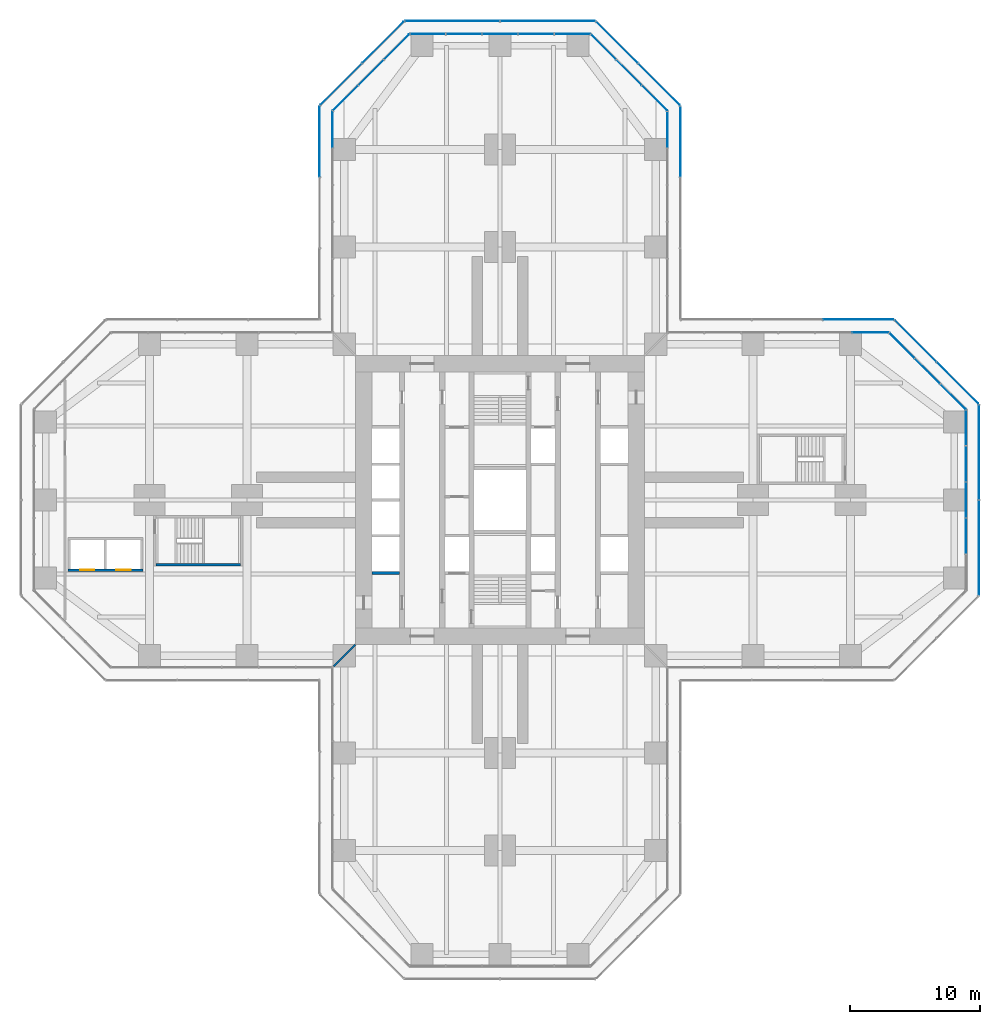
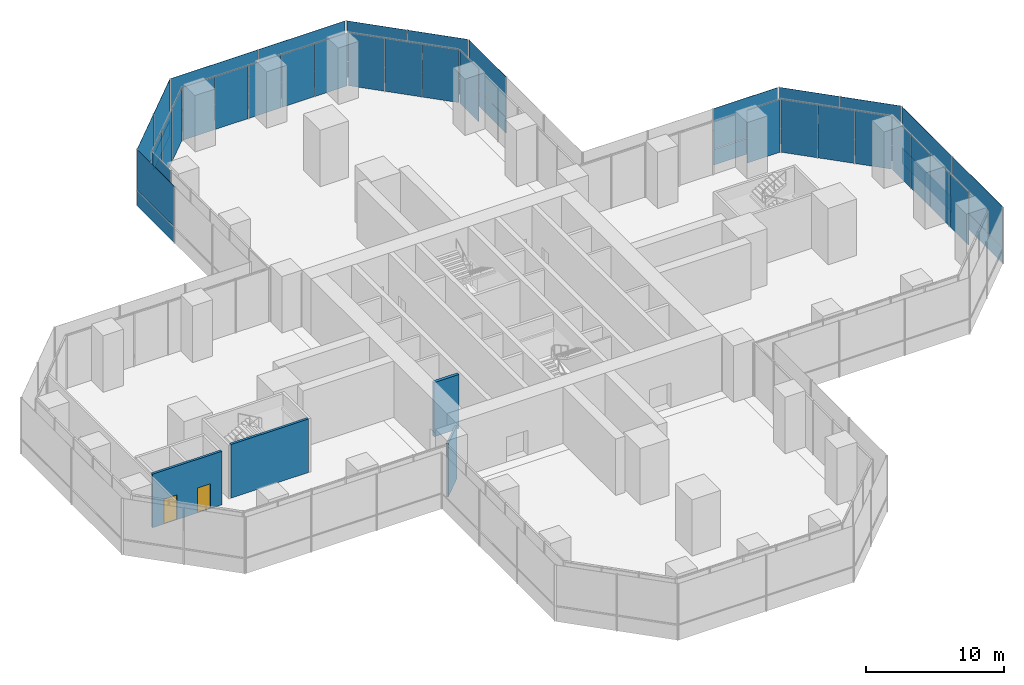
# One storey, part 16 of 23: 47 plates, 4 walls, 2 doors, 2 openings, 16 elements without a shape of their own.
"""IFC4 building model written with IfcOpenShell, lengths in metres."""

from ifc_helpers import new_model, si_unit, direction, frame, frame_2d, origin, origin_2d, place, context, subcontext, project, spatial, rectangle, extrude, material, layer, layer_set, type_object, element, fill, aggregate, save


model = new_model("IFC4")

# Units and contexts
model_context = context("Model", 3, precision=1e-05, world=origin(), true_north=direction((0.0, 1.0)))
body_context = subcontext(model_context, "Body", "Model", "MODEL_VIEW")
ifc_project = project(units=[si_unit("LENGTHUNIT", "METRE"), si_unit("AREAUNIT", "SQUARE_METRE"), si_unit("VOLUMEUNIT", "CUBIC_METRE"), si_unit("PLANEANGLEUNIT", "RADIAN"), si_unit("MASSUNIT", "GRAM", prefix="KILO")], contexts=[model_context])

# Site, building, storey
site_placement = place(None, origin())
site = spatial("IfcSite", under=ifc_project, at=site_placement, CompositionType="ELEMENT")
building_placement = place(site_placement, origin())
building = spatial("IfcBuilding", under=site, at=building_placement, Name="Mizan Broadcast Tower", CompositionType="ELEMENT")
storey_placement = place(building_placement, frame((0.0, 0.0, 23.0)))
storey = spatial("IfcBuildingStorey", under=building, at=storey_placement, Name="L03", CompositionType="ELEMENT", Elevation=23.0)

# Curtain wall, plates
ifc_material_1 = material(Name="Aluminium framed glazing", Category="aluminium")
curtain_wall_type_1 = type_object("IfcCurtainWallType", Name="OUTER SKIN", PredefinedType="USERDEFINED", material=ifc_material_1)
curtain_wall_1_placement = place(storey_placement, origin())
curtain_wall_1 = element("IfcCurtainWall", 1, at=curtain_wall_1_placement, inside=storey, type_object=curtain_wall_type_1, Name="Outer skin L03 E end", ObjectType="OUTER SKIN", PredefinedType="USERDEFINED")
ifc_material_2 = material(Name="Laminated clear glass", Category="glass")
ifc_layer_1 = layer(ifc_material_2, 0.02001953125)
ifc_layer_set_1 = layer_set([ifc_layer_1], Name="Laminated clear glass")
plate_type_1 = type_object("IfcPlateType", Name="OUTER SKIN CLEAR GLASS", PredefinedType="CURTAIN_PANEL", material=ifc_layer_set_1)
plate_1_placement = place(storey_placement, frame((36.89990234375, -3.66650390625, 0.0), z_axis=(0.0, 0.0, 1.0), x_axis=(0.0, 1.0, 0.0)))
plate_1 = element("IfcPlate", 2, at=plate_1_placement, type_object=plate_type_1, Name="Outer skin L03 E end panel 1.1", PredefinedType="CURTAIN_PANEL", context=body_context, shape_type="SweptSolid", body=[
    extrude(rectangle(XDim=7.252685546875, YDim=0.02001953125, at=origin_2d()), origin(), (0.0, 0.0, 1.0), 1.3701171875),
])
plate_2_placement = place(storey_placement, frame((36.89990234375, -3.66650390625, 1.43017578125), z_axis=(0.0, 0.0, 1.0), x_axis=(0.0, 1.0, 0.0)))
plate_2 = element("IfcPlate", 3, at=plate_2_placement, type_object=plate_type_1, Name="Outer skin L03 E end panel 1.2", PredefinedType="CURTAIN_PANEL", context=body_context, shape_type="SweptSolid", body=[
    extrude(rectangle(XDim=7.252685546875, YDim=0.02001953125, at=origin_2d()), origin(), (0.0, 0.0, 1.0), 3.570068359375),
])

curtain_wall_2_placement = place(storey_placement, origin())
curtain_wall_2 = element("IfcCurtainWall", 4, at=curtain_wall_2_placement, inside=storey, type_object=curtain_wall_type_1, Name="Outer skin L03 E chamfer", ObjectType="OUTER SKIN", PredefinedType="USERDEFINED")
plate_3_placement = place(storey_placement, frame((35.254150390625, 9.018798828125, 0.0), z_axis=(0.0, 0.0, 1.0), x_axis=(-0.707106781187, 0.707106781187, 0.0)))
plate_3 = element("IfcPlate", 5, at=plate_3_placement, type_object=plate_type_1, Name="Outer skin L03 E chamfer panel 1.1", PredefinedType="CURTAIN_PANEL", context=body_context, shape_type="SweptSolid", body=[
    extrude(rectangle(XDim=4.495361328125, YDim=0.02001953125, at=origin_2d()), origin(), (0.0, 0.0, 1.0), 1.3701171875),
])
plate_4_placement = place(storey_placement, frame((35.254150390625, 9.018798828125, 1.43017578125), z_axis=(0.0, 0.0, 1.0), x_axis=(-0.707106781187, 0.707106781187, 0.0)))
plate_4 = element("IfcPlate", 6, at=plate_4_placement, type_object=plate_type_1, Name="Outer skin L03 E chamfer panel 1.2", PredefinedType="CURTAIN_PANEL", context=body_context, shape_type="SweptSolid", body=[
    extrude(rectangle(XDim=4.495361328125, YDim=0.02001953125, at=origin_2d()), origin(), (0.0, 0.0, 1.0), 3.570068359375),
])

curtain_wall_3_placement = place(storey_placement, origin())
curtain_wall_3 = element("IfcCurtainWall", 7, at=curtain_wall_3_placement, inside=storey, type_object=curtain_wall_type_1, Name="Outer skin L03 E side", ObjectType="OUTER SKIN", PredefinedType="USERDEFINED")
plate_5_placement = place(storey_placement, frame((27.607421875, 13.89990234375, 0.0), z_axis=(0.0, 0.0, 1.0), x_axis=(-1.0, 0.0, 0.0)))
plate_5 = element("IfcPlate", 8, at=plate_5_placement, type_object=plate_type_1, Name="Outer skin L03 E side panel 1.1", PredefinedType="CURTAIN_PANEL", context=body_context, shape_type="SweptSolid", body=[
    extrude(rectangle(XDim=5.370849609375, YDim=0.02001953125, at=origin_2d()), origin(), (0.0, 0.0, 1.0), 1.3701171875),
])
plate_6_placement = place(storey_placement, frame((27.607421875, 13.89990234375, 1.43017578125), z_axis=(0.0, 0.0, 1.0), x_axis=(-1.0, 0.0, 0.0)))
plate_6 = element("IfcPlate", 9, at=plate_6_placement, type_object=plate_type_1, Name="Outer skin L03 E side panel 1.2", PredefinedType="CURTAIN_PANEL", context=body_context, shape_type="SweptSolid", body=[
    extrude(rectangle(XDim=5.370849609375, YDim=0.02001953125, at=origin_2d()), origin(), (0.0, 0.0, 1.0), 3.570068359375),
])
aggregate(curtain_wall_3, [plate_5, plate_6])

curtain_wall_4_placement = place(storey_placement, origin())
curtain_wall_4 = element("IfcCurtainWall", 10, at=curtain_wall_4_placement, inside=storey, type_object=curtain_wall_type_1, Name="Outer skin L03 N side", ObjectType="OUTER SKIN", PredefinedType="USERDEFINED")
plate_7_placement = place(storey_placement, frame((13.89990234375, 27.607421875, 0.0), z_axis=(0.0, 0.0, 1.0), x_axis=(0.0, 1.0, 0.0)))
plate_7 = element("IfcPlate", 11, at=plate_7_placement, type_object=plate_type_1, Name="Outer skin L03 N side panel 3.1", PredefinedType="CURTAIN_PANEL", context=body_context, shape_type="SweptSolid", body=[
    extrude(rectangle(XDim=5.370849609375, YDim=0.02001953125, at=origin_2d()), origin(), (0.0, 0.0, 1.0), 1.3701171875),
])
plate_8_placement = place(storey_placement, frame((13.89990234375, 27.607421875, 1.43017578125), z_axis=(0.0, 0.0, 1.0), x_axis=(0.0, 1.0, 0.0)))
plate_8 = element("IfcPlate", 12, at=plate_8_placement, type_object=plate_type_1, Name="Outer skin L03 N side panel 3.2", PredefinedType="CURTAIN_PANEL", context=body_context, shape_type="SweptSolid", body=[
    extrude(rectangle(XDim=5.370849609375, YDim=0.02001953125, at=origin_2d()), origin(), (0.0, 0.0, 1.0), 3.570068359375),
])
aggregate(curtain_wall_4, [plate_7, plate_8])

curtain_wall_5_placement = place(storey_placement, origin())
curtain_wall_5 = element("IfcCurtainWall", 13, at=curtain_wall_5_placement, inside=storey, type_object=curtain_wall_type_1, Name="Outer skin L03 N chamfer", ObjectType="OUTER SKIN", PredefinedType="USERDEFINED")
plate_9_placement = place(storey_placement, frame((12.254150390625, 32.018798828125, 0.0), z_axis=(0.0, 0.0, 1.0), x_axis=(-0.707106781187, 0.707106781187, 0.0)))
plate_9 = element("IfcPlate", 14, at=plate_9_placement, type_object=plate_type_1, Name="Outer skin L03 N chamfer panel 1.1", PredefinedType="CURTAIN_PANEL", context=body_context, shape_type="SweptSolid", body=[
    extrude(rectangle(XDim=4.495361328125, YDim=0.02001953125, at=origin_2d()), origin(), (0.0, 0.0, 1.0), 1.3701171875),
])
plate_10_placement = place(storey_placement, frame((12.254150390625, 32.018798828125, 1.43017578125), z_axis=(0.0, 0.0, 1.0), x_axis=(-0.707106781187, 0.707106781187, 0.0)))
plate_10 = element("IfcPlate", 15, at=plate_10_placement, type_object=plate_type_1, Name="Outer skin L03 N chamfer panel 1.2", PredefinedType="CURTAIN_PANEL", context=body_context, shape_type="SweptSolid", body=[
    extrude(rectangle(XDim=4.495361328125, YDim=0.02001953125, at=origin_2d()), origin(), (0.0, 0.0, 1.0), 3.570068359375),
])

curtain_wall_6_placement = place(storey_placement, origin())
curtain_wall_6 = element("IfcCurtainWall", 16, at=curtain_wall_6_placement, inside=storey, type_object=curtain_wall_type_1, Name="Outer skin L03 N end", ObjectType="OUTER SKIN", PredefinedType="USERDEFINED")
plate_11_placement = place(storey_placement, frame((3.66650390625, 36.89990234375, 0.0), z_axis=(0.0, 0.0, 1.0), x_axis=(-1.0, 0.0, 0.0)))
plate_11 = element("IfcPlate", 17, at=plate_11_placement, type_object=plate_type_1, Name="Outer skin L03 N end panel 1.1", PredefinedType="CURTAIN_PANEL", context=body_context, shape_type="SweptSolid", body=[
    extrude(rectangle(XDim=7.252685546875, YDim=0.02001953125, at=origin_2d()), origin(), (0.0, 0.0, 1.0), 1.3701171875),
])
plate_12_placement = place(storey_placement, frame((3.66650390625, 36.89990234375, 1.43017578125), z_axis=(0.0, 0.0, 1.0), x_axis=(-1.0, 0.0, 0.0)))
plate_12 = element("IfcPlate", 18, at=plate_12_placement, type_object=plate_type_1, Name="Outer skin L03 N end panel 1.2", PredefinedType="CURTAIN_PANEL", context=body_context, shape_type="SweptSolid", body=[
    extrude(rectangle(XDim=7.252685546875, YDim=0.02001953125, at=origin_2d()), origin(), (0.0, 0.0, 1.0), 3.570068359375),
])
plate_13_placement = place(storey_placement, frame((-3.66650390625, 36.89990234375, 0.0), z_axis=(0.0, 0.0, 1.0), x_axis=(-1.0, 0.0, 0.0)))
plate_13 = element("IfcPlate", 19, at=plate_13_placement, type_object=plate_type_1, Name="Outer skin L03 N end panel 2.1", PredefinedType="CURTAIN_PANEL", context=body_context, shape_type="SweptSolid", body=[
    extrude(rectangle(XDim=7.252685546875, YDim=0.02001953125, at=origin_2d()), origin(), (0.0, 0.0, 1.0), 1.3701171875),
])
plate_14_placement = place(storey_placement, frame((-3.66650390625, 36.89990234375, 1.43017578125), z_axis=(0.0, 0.0, 1.0), x_axis=(-1.0, 0.0, 0.0)))
plate_14 = element("IfcPlate", 20, at=plate_14_placement, type_object=plate_type_1, Name="Outer skin L03 N end panel 2.2", PredefinedType="CURTAIN_PANEL", context=body_context, shape_type="SweptSolid", body=[
    extrude(rectangle(XDim=7.252685546875, YDim=0.02001953125, at=origin_2d()), origin(), (0.0, 0.0, 1.0), 3.570068359375),
])
aggregate(curtain_wall_6, [plate_11, plate_12, plate_13, plate_14])

curtain_wall_7_placement = place(storey_placement, origin())
curtain_wall_7 = element("IfcCurtainWall", 21, at=curtain_wall_7_placement, inside=storey, type_object=curtain_wall_type_1, Name="Outer skin L03 N chamfer", ObjectType="OUTER SKIN", PredefinedType="USERDEFINED")
plate_15_placement = place(storey_placement, frame((-9.018798828125, 35.254150390625, 0.0), z_axis=(0.0, 0.0, 1.0), x_axis=(-0.707106781187, -0.707106781187, 0.0)))
plate_15 = element("IfcPlate", 22, at=plate_15_placement, type_object=plate_type_1, Name="Outer skin L03 N chamfer panel 1.1", PredefinedType="CURTAIN_PANEL", context=body_context, shape_type="SweptSolid", body=[
    extrude(rectangle(XDim=4.495361328125, YDim=0.02001953125, at=origin_2d()), origin(), (0.0, 0.0, 1.0), 1.3701171875),
])
plate_16_placement = place(storey_placement, frame((-9.018798828125, 35.254150390625, 1.43017578125), z_axis=(0.0, 0.0, 1.0), x_axis=(-0.707106781187, -0.707106781187, 0.0)))
plate_16 = element("IfcPlate", 23, at=plate_16_placement, type_object=plate_type_1, Name="Outer skin L03 N chamfer panel 1.2", PredefinedType="CURTAIN_PANEL", context=body_context, shape_type="SweptSolid", body=[
    extrude(rectangle(XDim=4.495361328125, YDim=0.02001953125, at=origin_2d()), origin(), (0.0, 0.0, 1.0), 3.570068359375),
])

curtain_wall_8_placement = place(storey_placement, origin())
curtain_wall_8 = element("IfcCurtainWall", 24, at=curtain_wall_8_placement, inside=storey, type_object=curtain_wall_type_1, Name="Outer skin L03 N side", ObjectType="OUTER SKIN", PredefinedType="USERDEFINED")
plate_17_placement = place(storey_placement, frame((-13.89990234375, 27.607421875, 0.0), z_axis=(0.0, 0.0, 1.0), x_axis=(0.0, -1.0, 0.0)))
plate_17 = element("IfcPlate", 25, at=plate_17_placement, type_object=plate_type_1, Name="Outer skin L03 N side panel 1.1", PredefinedType="CURTAIN_PANEL", context=body_context, shape_type="SweptSolid", body=[
    extrude(rectangle(XDim=5.370849609375, YDim=0.02001953125, at=origin_2d()), origin(), (0.0, 0.0, 1.0), 1.3701171875),
])
plate_18_placement = place(storey_placement, frame((-13.89990234375, 27.607421875, 1.43017578125), z_axis=(0.0, 0.0, 1.0), x_axis=(0.0, -1.0, 0.0)))
plate_18 = element("IfcPlate", 26, at=plate_18_placement, type_object=plate_type_1, Name="Outer skin L03 N side panel 1.2", PredefinedType="CURTAIN_PANEL", context=body_context, shape_type="SweptSolid", body=[
    extrude(rectangle(XDim=5.370849609375, YDim=0.02001953125, at=origin_2d()), origin(), (0.0, 0.0, 1.0), 3.570068359375),
])
aggregate(curtain_wall_8, [plate_17, plate_18])

# Plate
ifc_material_3 = material(Name="Perforated aluminium, pale anodised", Category="aluminium")
ifc_layer_2 = layer(ifc_material_3, 0.011962890625)
ifc_layer_set_2 = layer_set([ifc_layer_2], Name="Perforated aluminium, pale anodised")
plate_type_2 = type_object("IfcPlateType", Name="OUTER SKIN PERFORATED SCREEN", PredefinedType="USERDEFINED", material=ifc_layer_set_2)
plate_19_placement = place(storey_placement, frame((36.89990234375, 3.66650390625, 0.0), z_axis=(0.0, 0.0, 1.0), x_axis=(0.0, 1.0, 0.0)))
plate_19 = element("IfcPlate", 27, at=plate_19_placement, type_object=plate_type_2, Name="Outer skin L03 E end panel 2.1", ObjectType="SCREEN", PredefinedType="USERDEFINED", context=body_context, shape_type="SweptSolid", body=[
    extrude(rectangle(XDim=7.252685546875, YDim=0.011962890625, at=origin_2d()), origin(), (0.0, 0.0, 1.0), 1.3701171875),
])

plate_20_placement = place(storey_placement, frame((36.89990234375, 3.66650390625, 1.43017578125), z_axis=(0.0, 0.0, 1.0), x_axis=(0.0, 1.0, 0.0)))
plate_20 = element("IfcPlate", 28, at=plate_20_placement, type_object=plate_type_2, Name="Outer skin L03 E end panel 2.2", ObjectType="SCREEN", PredefinedType="USERDEFINED", context=body_context, shape_type="SweptSolid", body=[
    extrude(rectangle(XDim=7.252685546875, YDim=0.011962890625, at=origin_2d()), origin(), (0.0, 0.0, 1.0), 3.570068359375),
])

aggregate(curtain_wall_1, [plate_1, plate_2, plate_19, plate_20])

plate_21_placement = place(storey_placement, frame((32.018798828125, 12.254150390625, 0.0), z_axis=(0.0, 0.0, 1.0), x_axis=(-0.707106781187, 0.707106781187, 0.0)))
plate_21 = element("IfcPlate", 29, at=plate_21_placement, type_object=plate_type_2, Name="Outer skin L03 E chamfer panel 2.1", ObjectType="SCREEN", PredefinedType="USERDEFINED", context=body_context, shape_type="SweptSolid", body=[
    extrude(rectangle(XDim=4.495361328125, YDim=0.011962890625, at=origin_2d()), origin(), (0.0, 0.0, 1.0), 1.3701171875),
])

plate_22_placement = place(storey_placement, frame((32.018798828125, 12.254150390625, 1.43017578125), z_axis=(0.0, 0.0, 1.0), x_axis=(-0.707106781187, 0.707106781187, 0.0)))
plate_22 = element("IfcPlate", 30, at=plate_22_placement, type_object=plate_type_2, Name="Outer skin L03 E chamfer panel 2.2", ObjectType="SCREEN", PredefinedType="USERDEFINED", context=body_context, shape_type="SweptSolid", body=[
    extrude(rectangle(XDim=4.495361328125, YDim=0.011962890625, at=origin_2d()), origin(), (0.0, 0.0, 1.0), 3.570068359375),
])

aggregate(curtain_wall_2, [plate_3, plate_4, plate_21, plate_22])

plate_23_placement = place(storey_placement, frame((9.018798828125, 35.254150390625, 0.0), z_axis=(0.0, 0.0, 1.0), x_axis=(-0.707106781187, 0.707106781187, 0.0)))
plate_23 = element("IfcPlate", 31, at=plate_23_placement, type_object=plate_type_2, Name="Outer skin L03 N chamfer panel 2.1", ObjectType="SCREEN", PredefinedType="USERDEFINED", context=body_context, shape_type="SweptSolid", body=[
    extrude(rectangle(XDim=4.495361328125, YDim=0.011962890625, at=origin_2d()), origin(), (0.0, 0.0, 1.0), 1.3701171875),
])

plate_24_placement = place(storey_placement, frame((9.018798828125, 35.254150390625, 1.43017578125), z_axis=(0.0, 0.0, 1.0), x_axis=(-0.707106781187, 0.707106781187, 0.0)))
plate_24 = element("IfcPlate", 32, at=plate_24_placement, type_object=plate_type_2, Name="Outer skin L03 N chamfer panel 2.2", ObjectType="SCREEN", PredefinedType="USERDEFINED", context=body_context, shape_type="SweptSolid", body=[
    extrude(rectangle(XDim=4.495361328125, YDim=0.011962890625, at=origin_2d()), origin(), (0.0, 0.0, 1.0), 3.570068359375),
])

aggregate(curtain_wall_5, [plate_9, plate_10, plate_23, plate_24])

plate_25_placement = place(storey_placement, frame((-12.254150390625, 32.018798828125, 0.0), z_axis=(0.0, 0.0, 1.0), x_axis=(-0.707106781187, -0.707106781187, 0.0)))
plate_25 = element("IfcPlate", 33, at=plate_25_placement, type_object=plate_type_2, Name="Outer skin L03 N chamfer panel 2.1", ObjectType="SCREEN", PredefinedType="USERDEFINED", context=body_context, shape_type="SweptSolid", body=[
    extrude(rectangle(XDim=4.495361328125, YDim=0.011962890625, at=origin_2d()), origin(), (0.0, 0.0, 1.0), 1.3701171875),
])

plate_26_placement = place(storey_placement, frame((-12.254150390625, 32.018798828125, 1.43017578125), z_axis=(0.0, 0.0, 1.0), x_axis=(-0.707106781187, -0.707106781187, 0.0)))
plate_26 = element("IfcPlate", 34, at=plate_26_placement, type_object=plate_type_2, Name="Outer skin L03 N chamfer panel 2.2", ObjectType="SCREEN", PredefinedType="USERDEFINED", context=body_context, shape_type="SweptSolid", body=[
    extrude(rectangle(XDim=4.495361328125, YDim=0.011962890625, at=origin_2d()), origin(), (0.0, 0.0, 1.0), 3.570068359375),
])

aggregate(curtain_wall_7, [plate_15, plate_16, plate_25, plate_26])

# Curtain wall, plates
ifc_material_4 = material(Name="Aluminium framed glazing", Category="aluminium")
curtain_wall_type_2 = type_object("IfcCurtainWallType", Name="PODIUM CURTAIN WALL", PredefinedType="USERDEFINED", material=ifc_material_4)
curtain_wall_9_placement = place(storey_placement, origin())
curtain_wall_9 = element("IfcCurtainWall", 35, at=curtain_wall_9_placement, inside=storey, type_object=curtain_wall_type_2, Name="Podium curtain wall L03 E end", ObjectType="PODIUM CURTAIN WALL", PredefinedType="USERDEFINED")
ifc_material_5 = material(Name="Double glazing, clear laminated", Category="glass")
ifc_layer_3 = layer(ifc_material_5, 0.031982421875)
ifc_layer_set_3 = layer_set([ifc_layer_3], Name="Double glazing, clear laminated")
plate_type_3 = type_object("IfcPlateType", Name="PODIUM GLAZING UNIT", PredefinedType="CURTAIN_PANEL", material=ifc_layer_set_3)
plate_27_placement = place(storey_placement, frame((35.89990234375, -2.783447265625, 0.0), z_axis=(0.0, 0.0, 1.0), x_axis=(0.0, 1.0, 0.0)))
plate_27 = element("IfcPlate", 36, at=plate_27_placement, type_object=plate_type_3, Name="Podium curtain wall L03 E end panel 2.1", PredefinedType="CURTAIN_PANEL", context=body_context, shape_type="SweptSolid", body=[
    extrude(rectangle(XDim=2.723388671875, YDim=0.031982421875, at=origin_2d()), origin(), (0.0, 0.0, 1.0), 4.68994140625),
])
plate_28_placement = place(storey_placement, frame((35.89990234375, 0.0, 0.0), z_axis=(0.0, 0.0, 1.0), x_axis=(0.0, 1.0, 0.0)))
plate_28 = element("IfcPlate", 37, at=plate_28_placement, type_object=plate_type_3, Name="Podium curtain wall L03 E end panel 3.1", PredefinedType="CURTAIN_PANEL", context=body_context, shape_type="SweptSolid", body=[
    extrude(rectangle(XDim=2.723388671875, YDim=0.031982421875, at=origin_2d()), origin(), (0.0, 0.0, 1.0), 4.68994140625),
])
plate_29_placement = place(storey_placement, frame((35.89990234375, 2.783447265625, 0.0), z_axis=(0.0, 0.0, 1.0), x_axis=(0.0, 1.0, 0.0)))
plate_29 = element("IfcPlate", 38, at=plate_29_placement, type_object=plate_type_3, Name="Podium curtain wall L03 E end panel 4.1", PredefinedType="CURTAIN_PANEL", context=body_context, shape_type="SweptSolid", body=[
    extrude(rectangle(XDim=2.723388671875, YDim=0.031982421875, at=origin_2d()), origin(), (0.0, 0.0, 1.0), 4.68994140625),
])
plate_30_placement = place(storey_placement, frame((35.89990234375, 5.5517578125, 0.0), z_axis=(0.0, 0.0, 1.0), x_axis=(0.0, 1.0, 0.0)))
plate_30 = element("IfcPlate", 39, at=plate_30_placement, type_object=plate_type_3, Name="Podium curtain wall L03 E end panel 5.1", PredefinedType="CURTAIN_PANEL", context=body_context, shape_type="SweptSolid", body=[
    extrude(rectangle(XDim=2.693359375, YDim=0.031982421875, at=origin_2d()), origin(), (0.0, 0.0, 1.0), 4.68994140625),
])
aggregate(curtain_wall_9, [plate_27, plate_28, plate_29, plate_30])

curtain_wall_10_placement = place(storey_placement, origin())
curtain_wall_10 = element("IfcCurtainWall", 40, at=curtain_wall_10_placement, inside=storey, type_object=curtain_wall_type_2, Name="Podium curtain wall L03 E chamfer", ObjectType="PODIUM CURTAIN WALL", PredefinedType="USERDEFINED")
plate_31_placement = place(storey_placement, frame((34.899169921875, 7.95947265625, 0.0), z_axis=(0.0, 0.0, 1.0), x_axis=(-0.707106781187, 0.707106781187, 0.0)))
plate_31 = element("IfcPlate", 41, at=plate_31_placement, type_object=plate_type_3, Name="Podium curtain wall L03 E chamfer panel 1.1", PredefinedType="CURTAIN_PANEL", context=body_context, shape_type="SweptSolid", body=[
    extrude(rectangle(XDim=2.710693359375, YDim=0.031982421875, at=origin_2d()), origin(), (0.0, 0.0, 1.0), 4.68994140625),
])
plate_32_placement = place(storey_placement, frame((32.92919921875, 9.92919921875, 0.0), z_axis=(0.0, 0.0, 1.0), x_axis=(-0.707106781187, 0.707106781187, 0.0)))
plate_32 = element("IfcPlate", 42, at=plate_32_placement, type_object=plate_type_3, Name="Podium curtain wall L03 E chamfer panel 2.1", PredefinedType="CURTAIN_PANEL", context=body_context, shape_type="SweptSolid", body=[
    extrude(rectangle(XDim=2.74072265625, YDim=0.031982421875, at=origin_2d()), origin(), (0.0, 0.0, 1.0), 4.68994140625),
])
plate_33_placement = place(storey_placement, frame((30.95947265625, 11.899169921875, 0.0), z_axis=(0.0, 0.0, 1.0), x_axis=(-0.707106781187, 0.707106781187, 0.0)))
plate_33 = element("IfcPlate", 43, at=plate_33_placement, type_object=plate_type_3, Name="Podium curtain wall L03 E chamfer panel 3.1", PredefinedType="CURTAIN_PANEL", context=body_context, shape_type="SweptSolid", body=[
    extrude(rectangle(XDim=2.710693359375, YDim=0.031982421875, at=origin_2d()), origin(), (0.0, 0.0, 1.0), 4.68994140625),
])
aggregate(curtain_wall_10, [plate_31, plate_32, plate_33])

# Curtain wall, plate
curtain_wall_11_placement = place(storey_placement, origin())
curtain_wall_11 = element("IfcCurtainWall", 44, at=curtain_wall_11_placement, inside=storey, type_object=curtain_wall_type_2, Name="Podium curtain wall L03 E side", ObjectType="PODIUM CURTAIN WALL", PredefinedType="USERDEFINED")
plate_34_placement = place(storey_placement, frame((28.52197265625, 12.89990234375, 0.0), z_axis=(0.0, 0.0, 1.0), x_axis=(-1.0, 0.0, 0.0)))
plate_34 = element("IfcPlate", 45, at=plate_34_placement, type_object=plate_type_3, Name="Podium curtain wall L03 E side panel 1.1", PredefinedType="CURTAIN_PANEL", context=body_context, shape_type="SweptSolid", body=[
    extrude(rectangle(XDim=2.753173828125, YDim=0.031982421875, at=origin_2d()), origin(), (0.0, 0.0, 1.0), 4.68994140625),
])
aggregate(curtain_wall_11, [plate_34])

curtain_wall_12_placement = place(storey_placement, origin())
curtain_wall_12 = element("IfcCurtainWall", 46, at=curtain_wall_12_placement, inside=storey, type_object=curtain_wall_type_2, Name="Podium curtain wall L03 N side", ObjectType="PODIUM CURTAIN WALL", PredefinedType="USERDEFINED")
plate_35_placement = place(storey_placement, frame((12.89990234375, 28.52197265625, 0.0), z_axis=(0.0, 0.0, 1.0), x_axis=(0.0, 1.0, 0.0)))
plate_35 = element("IfcPlate", 47, at=plate_35_placement, type_object=plate_type_3, Name="Podium curtain wall L03 N side panel 6.1", PredefinedType="CURTAIN_PANEL", context=body_context, shape_type="SweptSolid", body=[
    extrude(rectangle(XDim=2.753173828125, YDim=0.031982421875, at=origin_2d()), origin(), (0.0, 0.0, 1.0), 4.68994140625),
])
aggregate(curtain_wall_12, [plate_35])

# Curtain wall, plates
curtain_wall_13_placement = place(storey_placement, origin())
curtain_wall_13 = element("IfcCurtainWall", 48, at=curtain_wall_13_placement, inside=storey, type_object=curtain_wall_type_2, Name="Podium curtain wall L03 N chamfer", ObjectType="PODIUM CURTAIN WALL", PredefinedType="USERDEFINED")
plate_36_placement = place(storey_placement, frame((11.899169921875, 30.95947265625, 0.0), z_axis=(0.0, 0.0, 1.0), x_axis=(-0.707106781187, 0.707106781187, 0.0)))
plate_36 = element("IfcPlate", 49, at=plate_36_placement, type_object=plate_type_3, Name="Podium curtain wall L03 N chamfer panel 1.1", PredefinedType="CURTAIN_PANEL", context=body_context, shape_type="SweptSolid", body=[
    extrude(rectangle(XDim=2.710693359375, YDim=0.031982421875, at=origin_2d()), origin(), (0.0, 0.0, 1.0), 4.68994140625),
])
plate_37_placement = place(storey_placement, frame((9.92919921875, 32.92919921875, 0.0), z_axis=(0.0, 0.0, 1.0), x_axis=(-0.707106781187, 0.707106781187, 0.0)))
plate_37 = element("IfcPlate", 50, at=plate_37_placement, type_object=plate_type_3, Name="Podium curtain wall L03 N chamfer panel 2.1", PredefinedType="CURTAIN_PANEL", context=body_context, shape_type="SweptSolid", body=[
    extrude(rectangle(XDim=2.74072265625, YDim=0.031982421875, at=origin_2d()), origin(), (0.0, 0.0, 1.0), 4.68994140625),
])
plate_38_placement = place(storey_placement, frame((7.95947265625, 34.899169921875, 0.0), z_axis=(0.0, 0.0, 1.0), x_axis=(-0.707106781187, 0.707106781187, 0.0)))
plate_38 = element("IfcPlate", 51, at=plate_38_placement, type_object=plate_type_3, Name="Podium curtain wall L03 N chamfer panel 3.1", PredefinedType="CURTAIN_PANEL", context=body_context, shape_type="SweptSolid", body=[
    extrude(rectangle(XDim=2.710693359375, YDim=0.031982421875, at=origin_2d()), origin(), (0.0, 0.0, 1.0), 4.68994140625),
])
aggregate(curtain_wall_13, [plate_36, plate_37, plate_38])

curtain_wall_14_placement = place(storey_placement, origin())
curtain_wall_14 = element("IfcCurtainWall", 52, at=curtain_wall_14_placement, inside=storey, type_object=curtain_wall_type_2, Name="Podium curtain wall L03 N end", ObjectType="PODIUM CURTAIN WALL", PredefinedType="USERDEFINED")
plate_39_placement = place(storey_placement, frame((5.5517578125, 35.89990234375, 0.0), z_axis=(0.0, 0.0, 1.0), x_axis=(-1.0, 0.0, 0.0)))
plate_39 = element("IfcPlate", 53, at=plate_39_placement, type_object=plate_type_3, Name="Podium curtain wall L03 N end panel 1.1", PredefinedType="CURTAIN_PANEL", context=body_context, shape_type="SweptSolid", body=[
    extrude(rectangle(XDim=2.693359375, YDim=0.031982421875, at=origin_2d()), origin(), (0.0, 0.0, 1.0), 4.68994140625),
])
plate_40_placement = place(storey_placement, frame((2.783447265625, 35.89990234375, 0.0), z_axis=(0.0, 0.0, 1.0), x_axis=(-1.0, 0.0, 0.0)))
plate_40 = element("IfcPlate", 54, at=plate_40_placement, type_object=plate_type_3, Name="Podium curtain wall L03 N end panel 2.1", PredefinedType="CURTAIN_PANEL", context=body_context, shape_type="SweptSolid", body=[
    extrude(rectangle(XDim=2.723388671875, YDim=0.031982421875, at=origin_2d()), origin(), (0.0, 0.0, 1.0), 4.68994140625),
])
plate_41_placement = place(storey_placement, frame((0.0, 35.89990234375, 0.0), z_axis=(0.0, 0.0, 1.0), x_axis=(-1.0, 0.0, 0.0)))
plate_41 = element("IfcPlate", 55, at=plate_41_placement, type_object=plate_type_3, Name="Podium curtain wall L03 N end panel 3.1", PredefinedType="CURTAIN_PANEL", context=body_context, shape_type="SweptSolid", body=[
    extrude(rectangle(XDim=2.723388671875, YDim=0.031982421875, at=origin_2d()), origin(), (0.0, 0.0, 1.0), 4.68994140625),
])
plate_42_placement = place(storey_placement, frame((-2.783447265625, 35.89990234375, 0.0), z_axis=(0.0, 0.0, 1.0), x_axis=(-1.0, 0.0, 0.0)))
plate_42 = element("IfcPlate", 56, at=plate_42_placement, type_object=plate_type_3, Name="Podium curtain wall L03 N end panel 4.1", PredefinedType="CURTAIN_PANEL", context=body_context, shape_type="SweptSolid", body=[
    extrude(rectangle(XDim=2.723388671875, YDim=0.031982421875, at=origin_2d()), origin(), (0.0, 0.0, 1.0), 4.68994140625),
])
plate_43_placement = place(storey_placement, frame((-5.5517578125, 35.89990234375, 0.0), z_axis=(0.0, 0.0, 1.0), x_axis=(-1.0, 0.0, 0.0)))
plate_43 = element("IfcPlate", 57, at=plate_43_placement, type_object=plate_type_3, Name="Podium curtain wall L03 N end panel 5.1", PredefinedType="CURTAIN_PANEL", context=body_context, shape_type="SweptSolid", body=[
    extrude(rectangle(XDim=2.693359375, YDim=0.031982421875, at=origin_2d()), origin(), (0.0, 0.0, 1.0), 4.68994140625),
])
aggregate(curtain_wall_14, [plate_39, plate_40, plate_41, plate_42, plate_43])

curtain_wall_15_placement = place(storey_placement, origin())
curtain_wall_15 = element("IfcCurtainWall", 58, at=curtain_wall_15_placement, inside=storey, type_object=curtain_wall_type_2, Name="Podium curtain wall L03 N chamfer", ObjectType="PODIUM CURTAIN WALL", PredefinedType="USERDEFINED")
plate_44_placement = place(storey_placement, frame((-7.95947265625, 34.899169921875, 0.0), z_axis=(0.0, 0.0, 1.0), x_axis=(-0.707106781187, -0.707106781187, 0.0)))
plate_44 = element("IfcPlate", 59, at=plate_44_placement, type_object=plate_type_3, Name="Podium curtain wall L03 N chamfer panel 1.1", PredefinedType="CURTAIN_PANEL", context=body_context, shape_type="SweptSolid", body=[
    extrude(rectangle(XDim=2.710693359375, YDim=0.031982421875, at=origin_2d()), origin(), (0.0, 0.0, 1.0), 4.68994140625),
])
plate_45_placement = place(storey_placement, frame((-9.92919921875, 32.92919921875, 0.0), z_axis=(0.0, 0.0, 1.0), x_axis=(-0.707106781187, -0.707106781187, 0.0)))
plate_45 = element("IfcPlate", 60, at=plate_45_placement, type_object=plate_type_3, Name="Podium curtain wall L03 N chamfer panel 2.1", PredefinedType="CURTAIN_PANEL", context=body_context, shape_type="SweptSolid", body=[
    extrude(rectangle(XDim=2.74072265625, YDim=0.031982421875, at=origin_2d()), origin(), (0.0, 0.0, 1.0), 4.68994140625),
])
plate_46_placement = place(storey_placement, frame((-11.899169921875, 30.95947265625, 0.0), z_axis=(0.0, 0.0, 1.0), x_axis=(-0.707106781187, -0.707106781187, 0.0)))
plate_46 = element("IfcPlate", 61, at=plate_46_placement, type_object=plate_type_3, Name="Podium curtain wall L03 N chamfer panel 3.1", PredefinedType="CURTAIN_PANEL", context=body_context, shape_type="SweptSolid", body=[
    extrude(rectangle(XDim=2.710693359375, YDim=0.031982421875, at=origin_2d()), origin(), (0.0, 0.0, 1.0), 4.68994140625),
])
aggregate(curtain_wall_15, [plate_44, plate_45, plate_46])

# Curtain wall, plate
curtain_wall_16_placement = place(storey_placement, origin())
curtain_wall_16 = element("IfcCurtainWall", 62, at=curtain_wall_16_placement, inside=storey, type_object=curtain_wall_type_2, Name="Podium curtain wall L03 N side", ObjectType="PODIUM CURTAIN WALL", PredefinedType="USERDEFINED")
plate_47_placement = place(storey_placement, frame((-12.89990234375, 28.52197265625, 0.0), z_axis=(0.0, 0.0, 1.0), x_axis=(0.0, -1.0, 0.0)))
plate_47 = element("IfcPlate", 63, at=plate_47_placement, type_object=plate_type_3, Name="Podium curtain wall L03 N side panel 1.1", PredefinedType="CURTAIN_PANEL", context=body_context, shape_type="SweptSolid", body=[
    extrude(rectangle(XDim=2.753173828125, YDim=0.031982421875, at=origin_2d()), origin(), (0.0, 0.0, 1.0), 4.68994140625),
])
aggregate(curtain_wall_16, [plate_47])

# Wall, openings, doors
ifc_material_6 = material(Name="Concrete blockwork", Category="masonry")
ifc_layer_4 = layer(ifc_material_6, 0.199951171875)
ifc_layer_set_4 = layer_set([ifc_layer_4], Name="Concrete blockwork")
wall_type_1 = type_object("IfcWallType", Name="LIFT SHAFT WALL 200", PredefinedType="SOLIDWALL", material=ifc_layer_set_4)
wall_1_placement = place(storey_placement, frame((-33.300048828125, -5.39990234375, 0.0), z_axis=(0.0, 0.0, 1.0), x_axis=(1.0, 0.0, 0.0)))
wall_1 = element("IfcWall", 64, at=wall_1_placement, inside=storey, type_object=wall_type_1, Name="Lift shaft wall PLS/V1", PredefinedType="SOLIDWALL", context=body_context, shape_type="SweptSolid", body=[
    extrude(rectangle(XDim=5.800048828125, YDim=0.199951171875, at=frame_2d((2.89990234375, 0.0))), origin(), (0.0, 0.0, 1.0), 4.75),
])
opening_1_placement = place(wall_1_placement, frame((3.75, 0.0, 0.0)))
opening_1 = element("IfcOpeningElement", 65, at=opening_1_placement, cuts=wall_1, Name="Opening LDP", PredefinedType="OPENING", context=body_context, shape_type="SweptSolid", body=[
    extrude(rectangle(XDim=1.10009765625, YDim=2.199951171875, at=frame_2d((0.550048828125, 1.10009765625))), frame((0.0, 0.10986328125, 0.0), z_axis=(0.0, -1.0, 0.0), x_axis=(1.0, 0.0, 0.0)), (0.0, 0.0, 1.0), 0.219970703125),
])
opening_2_placement = place(wall_1_placement, frame((0.949951171875, 0.0, 0.0)))
opening_2 = element("IfcOpeningElement", 66, at=opening_2_placement, cuts=wall_1, Name="Opening LDP", PredefinedType="OPENING", context=body_context, shape_type="SweptSolid", body=[
    extrude(rectangle(XDim=1.10009765625, YDim=2.199951171875, at=frame_2d((0.550048828125, 1.10009765625))), frame((0.0, 0.10986328125, 0.0), z_axis=(0.0, -1.0, 0.0), x_axis=(1.0, 0.0, 0.0)), (0.0, 0.0, 1.0), 0.219970703125),
])
ifc_material_7 = material(Name="Steel door leaf in steel frame", Category="steel")
door_type = type_object("IfcDoorType", Name="PODIUM LIFT LANDING DOOR 1100", OperationType="SLIDING_TO_LEFT", PredefinedType="DOOR", material=ifc_material_7)
door_1_placement = place(opening_1_placement, origin())
door_1 = element("IfcDoor", 67, at=door_1_placement, inside=storey, type_object=door_type, Name="Landing door PL1", OperationType="SLIDING_TO_LEFT", OverallHeight=2.199951171875, OverallWidth=1.10009765625, PredefinedType="DOOR", context=body_context, shape_type="SweptSolid", body=[
    extrude(rectangle(XDim=1.10009765625, YDim=2.199951171875, at=frame_2d((0.550048828125, 1.10009765625))), frame((0.0, 0.02490234375, 0.0), z_axis=(0.0, -1.0, 0.0), x_axis=(1.0, 0.0, 0.0)), (0.0, 0.0, 1.0), 0.050048828125),
])
fill(opening_1, door_1)
door_2_placement = place(opening_2_placement, origin())
door_2 = element("IfcDoor", 68, at=door_2_placement, inside=storey, type_object=door_type, Name="Landing door PL2", OperationType="SLIDING_TO_LEFT", OverallHeight=2.199951171875, OverallWidth=1.10009765625, PredefinedType="DOOR", context=body_context, shape_type="SweptSolid", body=[
    extrude(rectangle(XDim=1.10009765625, YDim=2.199951171875, at=frame_2d((0.550048828125, 1.10009765625))), frame((0.0, 0.02490234375, 0.0), z_axis=(0.0, -1.0, 0.0), x_axis=(1.0, 0.0, 0.0)), (0.0, 0.0, 1.0), 0.050048828125),
])
fill(opening_2, door_2)

# Walls
ifc_material_8 = material(Name="Concrete blockwork", Category="masonry")
ifc_layer_5 = layer(ifc_material_8, 0.25)
ifc_layer_set_5 = layer_set([ifc_layer_5], Name="Concrete blockwork")
wall_type_2 = type_object("IfcWallType", Name="LOBBY ENCLOSURE WALL 250", PredefinedType="SOLIDWALL", material=ifc_layer_set_5)
wall_2_placement = place(storey_placement, frame((-9.85009765625, -5.625, 0.0), z_axis=(0.0, 0.0, 1.0), x_axis=(1.0, 0.0, 0.0)))
element("IfcWall", 69, at=wall_2_placement, inside=storey, type_object=wall_type_2, Name="Lobby enclosure wall CORE/BW1S", PredefinedType="SOLIDWALL", context=body_context, shape_type="SweptSolid", body=[
    extrude(rectangle(XDim=2.10009765625, YDim=0.25, at=frame_2d((1.050048828125, 0.0))), origin(), (0.0, 0.0, 1.0), 4.800048828125),
])
ifc_material_9 = material(Name="Gypsum board on steel studs", Category="steel")
ifc_layer_6 = layer(ifc_material_9, 0.14990234375)
ifc_layer_set_6 = layer_set([ifc_layer_6], Name="Gypsum board on steel studs")
wall_type_3 = type_object("IfcWallType", Name="PARTITION 150", PredefinedType="PARTITIONING", material=ifc_layer_set_6)
wall_3_placement = place(storey_placement, frame((-11.14990234375, -11.14990234375, 0.0), z_axis=(0.0, 0.0, 1.0), x_axis=(-0.707106781187, -0.707106781187, 0.0)))
element("IfcWall", 70, at=wall_3_placement, inside=storey, type_object=wall_type_3, Name="Partition PT/DGWS", PredefinedType="PARTITIONING", context=body_context, shape_type="SweptSolid", body=[
    extrude(rectangle(XDim=2.362060546875, YDim=0.14990234375, at=frame_2d((1.18115234375, 0.0))), origin(), (0.0, 0.0, 1.0), 4.75),
])
ifc_material_10 = material(Name="Concrete C40/50", Category="concrete")
ifc_layer_7 = layer(ifc_material_10, 0.199951171875)
ifc_layer_set_7 = layer_set([ifc_layer_7], Name="Concrete C40/50")
wall_type_4 = type_object("IfcWallType", Name="STAIR SHAFT WALL 200 RC", PredefinedType="SOLIDWALL", material=ifc_layer_set_7)
wall_4_placement = place(storey_placement, frame((-26.5, -5.0, 0.0), z_axis=(0.0, 0.0, 1.0), x_axis=(1.0, 0.0, 0.0)))
element("IfcWall", 71, at=wall_4_placement, inside=storey, type_object=wall_type_4, Name="Stair shaft wall PS/W/V1", PredefinedType="SOLIDWALL", context=body_context, shape_type="SweptSolid", body=[
    extrude(rectangle(XDim=6.5, YDim=0.199951171875, at=frame_2d((3.25, 0.0))), origin(), (0.0, 0.0, 1.0), 4.75),
])

save(model, "model.ifc")
